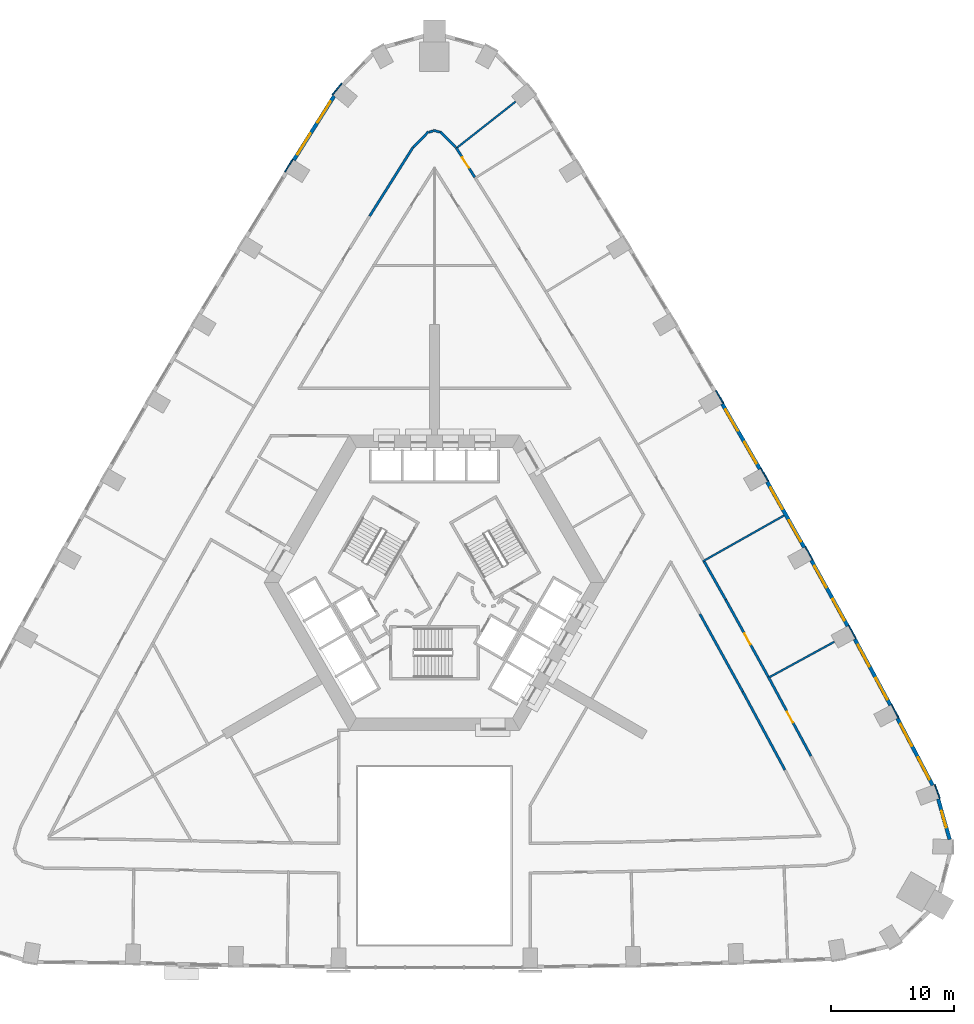
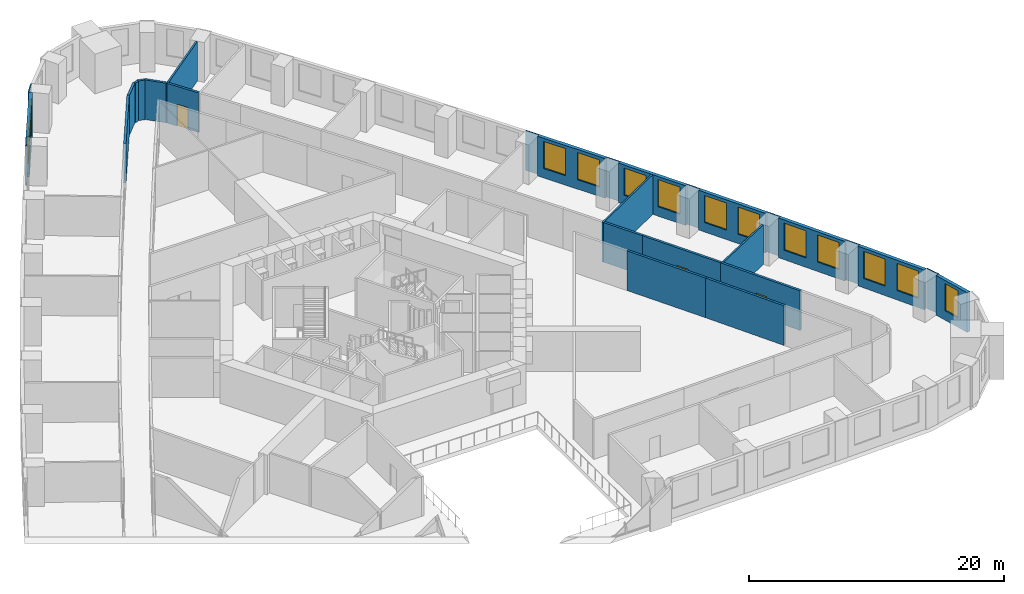
# One storey, part 11 of 13: 29 walls, 13 windows, 3 doors, 16 openings.
"""IFC4 building model written with IfcOpenShell, lengths in metres."""

from ifc_helpers import new_model, si_unit, direction, frame, frame_2d, origin, place, context, subcontext, project, spatial, rectangle, extrude, material, layer, layer_set, type_object, element, fill, save


model = new_model("IFC4")

# Units and contexts
model_context = context("Model", 3, precision=1e-05, world=origin(), true_north=direction((0.0, 1.0)))
body_context = subcontext(model_context, "Body", "Model", "MODEL_VIEW")
ifc_project = project(units=[si_unit("LENGTHUNIT", "METRE"), si_unit("AREAUNIT", "SQUARE_METRE"), si_unit("VOLUMEUNIT", "CUBIC_METRE"), si_unit("PLANEANGLEUNIT", "RADIAN"), si_unit("MASSUNIT", "GRAM", prefix="KILO")], contexts=[model_context])

# Site, building, storey
site_placement = place(None, origin())
site = spatial("IfcSite", under=ifc_project, at=site_placement, CompositionType="ELEMENT")
building_placement = place(site_placement, origin())
building = spatial("IfcBuilding", under=site, at=building_placement, Name="Entoto Arch Interchange Tower", CompositionType="ELEMENT")
storey_placement = place(building_placement, frame((0.0, 0.0, 51.800048828125)))
storey = spatial("IfcBuildingStorey", under=building, at=storey_placement, Name="L10", CompositionType="ELEMENT", Elevation=51.800048828125)

# Walls
ifc_material_1 = material(Name="Gypsum board partition on steel studs", Category="steel")
ifc_layer_1 = layer(ifc_material_1, 0.14990234375)
ifc_layer_set_1 = layer_set([ifc_layer_1], Name="Gypsum board partition on steel studs")
wall_type_1 = type_object("IfcWallType", Name="PARTITION 150", PredefinedType="PARTITIONING", material=ifc_layer_set_1)
wall_1_placement = place(storey_placement, frame((27.26806640625, -5.1708984375, 0.0), z_axis=(0.0, 0.0, 1.0), x_axis=(0.877837854343, 0.478957932895, 0.0)))
element("IfcWall", 1, at=wall_1_placement, inside=storey, type_object=wall_type_1, Name="wall:L10:p134", PredefinedType="PARTITIONING", context=body_context, shape_type="SweptSolid", body=[
    extrude(rectangle(XDim=5.981689453125, YDim=0.14990234375, at=frame_2d((2.99072265625, 0.0))), origin(), (0.0, 0.0, 1.0), 3.800048828125),
])
wall_2_placement = place(storey_placement, frame((21.81298828125, 4.23095703125, 0.0), z_axis=(0.0, 0.0, 1.0), x_axis=(0.870901264369, 0.491458022337, 0.0)))
element("IfcWall", 2, at=wall_2_placement, inside=storey, type_object=wall_type_1, Name="wall:L10:p135", PredefinedType="PARTITIONING", context=body_context, shape_type="SweptSolid", body=[
    extrude(rectangle(XDim=7.60009765625, YDim=0.14990234375, at=frame_2d((3.800048828125, 0.0))), origin(), (0.0, 0.0, 1.0), 3.800048828125),
])
wall_3_placement = place(storey_placement, frame((1.708984375, 37.77294921875, 0.0), z_axis=(0.0, 0.0, 1.0), x_axis=(0.785857956092, 0.618407044629, 0.0)))
element("IfcWall", 3, at=wall_3_placement, inside=storey, type_object=wall_type_1, Name="wall:L10:p139", PredefinedType="PARTITIONING", context=body_context, shape_type="SweptSolid", body=[
    extrude(rectangle(XDim=6.22265625, YDim=0.14990234375, at=frame_2d((3.111328125, 0.0))), origin(), (0.0, 0.0, 1.0), 3.800048828125),
])
ifc_layer_2 = layer(ifc_material_1, 0.199951171875)
ifc_layer_set_2 = layer_set([ifc_layer_2], Name="Gypsum board partition on steel studs")
wall_type_2 = type_object("IfcWallType", Name="PARTITION 200", PredefinedType="PARTITIONING", material=ifc_layer_set_2)
wall_4_placement = place(storey_placement, frame((28.5009765625, -12.72412109375, 0.0), z_axis=(0.0, 0.0, 1.0), x_axis=(-0.474575559827, 0.880214768119, 0.0)))
element("IfcWall", 4, at=wall_4_placement, inside=storey, type_object=wall_type_2, Name="wall:L10:p022", PredefinedType="PARTITIONING", context=body_context, shape_type="SweptSolid", body=[
    extrude(rectangle(XDim=7.22119140625, YDim=0.199951171875, at=frame_2d((3.610595703125, 0.0))), origin(), (0.0, 0.0, 1.0), 3.800048828125),
])
wall_5_placement = place(storey_placement, frame((25.073974609375, -6.367919921875, 0.0), z_axis=(0.0, 0.0, 1.0), x_axis=(-0.483126495407, 0.875550563609, 0.0)))
element("IfcWall", 5, at=wall_5_placement, inside=storey, type_object=wall_type_2, Name="wall:L10:p023", PredefinedType="PARTITIONING", context=body_context, shape_type="SweptSolid", body=[
    extrude(rectangle(XDim=7.2216796875, YDim=0.199951171875, at=frame_2d((3.61083984375, 0.0))), origin(), (0.0, 0.0, 1.0), 3.800048828125),
])

# Wall, opening, door
wall_6_placement = place(storey_placement, frame((27.14501953125, -5.152099609375, 0.0), z_axis=(0.0, 0.0, 1.0), x_axis=(0.474591029089, -0.880206427554, 0.0)))
wall_6 = element("IfcWall", 6, at=wall_6_placement, inside=storey, type_object=wall_type_2, Name="wall:L10:p040", PredefinedType="PARTITIONING", context=body_context, shape_type="SweptSolid", body=[
    extrude(rectangle(XDim=7.31982421875, YDim=0.199951171875, at=frame_2d((3.659912109375, 0.0))), origin(), (0.0, 0.0, 1.0), 3.800048828125),
])
opening_1_placement = place(wall_6_placement, frame((3.235107421875, 0.0, 0.0)))
opening_1 = element("IfcOpeningElement", 7, at=opening_1_placement, cuts=wall_6, Name="Opening L10-D03", PredefinedType="OPENING", context=body_context, shape_type="SweptSolid", body=[
    extrude(rectangle(XDim=1.0, YDim=2.10009765625, at=frame_2d((0.5, 1.050048828125))), frame((0.0, 0.10986328125, 0.0), z_axis=(0.0, -1.0, 0.0), x_axis=(1.0, 0.0, 0.0)), (0.0, 0.0, 1.0), 0.219970703125),
])
ifc_material_2 = material(Name="Timber door leaf in Steel S235 frame", Category="steel")
door_type = type_object("IfcDoorType", Name="DOOR DS-10 1000x2100", OperationType="SINGLE_SWING_LEFT", PredefinedType="DOOR", material=ifc_material_2)
door_1_placement = place(opening_1_placement, origin())
door_1 = element("IfcDoor", 8, at=door_1_placement, inside=storey, type_object=door_type, Name="door:L10:03", OperationType="SINGLE_SWING_RIGHT", OverallHeight=2.10009765625, OverallWidth=1.0, PredefinedType="DOOR", context=body_context, shape_type="SweptSolid", body=[
    extrude(rectangle(XDim=1.0, YDim=2.10009765625, at=frame_2d((0.5, 1.050048828125))), frame((0.0, 0.02490234375, 0.0), z_axis=(0.0, -1.0, 0.0), x_axis=(1.0, 0.0, 0.0)), (0.0, 0.0, 1.0), 0.050048828125),
])
fill(opening_1, door_1)

# Wall
wall_7_placement = place(storey_placement, frame((21.93701171875, 4.214111328125, 0.0), z_axis=(0.0, 0.0, 1.0), x_axis=(0.491485799319, -0.870885588965, 0.0)))
element("IfcWall", 9, at=wall_7_placement, inside=storey, type_object=wall_type_2, Name="wall:L10:p047", PredefinedType="PARTITIONING", context=body_context, shape_type="SweptSolid", body=[
    extrude(rectangle(XDim=3.548095703125, YDim=0.199951171875, at=frame_2d((1.77392578125, 0.0))), origin(), (0.0, 0.0, 1.0), 3.800048828125),
])

# Wall, opening, door
wall_8_placement = place(storey_placement, frame((23.680908203125, 1.1240234375, 0.0), z_axis=(0.0, 0.0, 1.0), x_axis=(0.483125061868, -0.875551354631, 0.0)))
wall_8 = element("IfcWall", 10, at=wall_8_placement, inside=storey, type_object=wall_type_2, Name="wall:L10:p048", PredefinedType="PARTITIONING", context=body_context, shape_type="SweptSolid", body=[
    extrude(rectangle(XDim=7.168212890625, YDim=0.199951171875, at=frame_2d((3.583984375, 0.0))), origin(), (0.0, 0.0, 1.0), 3.800048828125),
])
opening_2_placement = place(wall_8_placement, frame((3.158935546875, 0.0, 0.0)))
opening_2 = element("IfcOpeningElement", 11, at=opening_2_placement, cuts=wall_8, Name="Opening L10-D04", PredefinedType="OPENING", context=body_context, shape_type="SweptSolid", body=[
    extrude(rectangle(XDim=1.0, YDim=2.10009765625, at=frame_2d((0.5, 1.050048828125))), frame((0.0, 0.10986328125, 0.0), z_axis=(0.0, -1.0, 0.0), x_axis=(1.0, 0.0, 0.0)), (0.0, 0.0, 1.0), 0.219970703125),
])
door_2_placement = place(opening_2_placement, origin())
door_2 = element("IfcDoor", 12, at=door_2_placement, inside=storey, type_object=door_type, Name="door:L10:04", OperationType="SINGLE_SWING_LEFT", OverallHeight=2.10009765625, OverallWidth=1.0, PredefinedType="DOOR", context=body_context, shape_type="SweptSolid", body=[
    extrude(rectangle(XDim=1.0, YDim=2.10009765625, at=frame_2d((0.5, 1.050048828125))), frame((0.0, 0.02490234375, 0.0), z_axis=(0.0, -1.0, 0.0), x_axis=(1.0, 0.0, 0.0)), (0.0, 0.0, 1.0), 0.050048828125),
])
fill(opening_2, door_2)

wall_9_placement = place(storey_placement, frame((1.77490234375, 37.85595703125, 0.0), z_axis=(0.0, 0.0, 1.0), x_axis=(0.533221537001, -0.845975645322, 0.0)))
wall_9 = element("IfcWall", 13, at=wall_9_placement, inside=storey, type_object=wall_type_2, Name="wall:L10:p055", PredefinedType="PARTITIONING", context=body_context, shape_type="SweptSolid", body=[
    extrude(rectangle(XDim=2.82275390625, YDim=0.199951171875, at=frame_2d((1.411376953125, 0.0))), origin(), (0.0, 0.0, 1.0), 3.800048828125),
])
opening_3_placement = place(wall_9_placement, frame((0.910888671875, 0.0, 0.0)))
opening_3 = element("IfcOpeningElement", 14, at=opening_3_placement, cuts=wall_9, Name="Opening L10-D08", PredefinedType="OPENING", context=body_context, shape_type="SweptSolid", body=[
    extrude(rectangle(XDim=1.0, YDim=2.10009765625, at=frame_2d((0.5, 1.050048828125))), frame((0.0, 0.10986328125, 0.0), z_axis=(0.0, -1.0, 0.0), x_axis=(1.0, 0.0, 0.0)), (0.0, 0.0, 1.0), 0.219970703125),
])
door_3_placement = place(opening_3_placement, origin())
door_3 = element("IfcDoor", 15, at=door_3_placement, inside=storey, type_object=door_type, Name="door:L10:08", OperationType="SINGLE_SWING_LEFT", OverallHeight=2.10009765625, OverallWidth=1.0, PredefinedType="DOOR", context=body_context, shape_type="SweptSolid", body=[
    extrude(rectangle(XDim=1.0, YDim=2.10009765625, at=frame_2d((0.5, 1.050048828125))), frame((0.0, 0.02490234375, 0.0), z_axis=(0.0, -1.0, 0.0), x_axis=(1.0, 0.0, 0.0)), (0.0, 0.0, 1.0), 0.050048828125),
])
fill(opening_3, door_3)

# Walls
wall_10_placement = place(storey_placement, frame((-5.26708984375, 32.31494140625, 0.0), z_axis=(0.0, 0.0, 1.0), x_axis=(0.533195424135, 0.845992103794, 0.0)))
element("IfcWall", 16, at=wall_10_placement, inside=storey, type_object=wall_type_2, Name="wall:L10:p057", PredefinedType="PARTITIONING", context=body_context, shape_type="SweptSolid", body=[
    extrude(rectangle(XDim=6.624267578125, YDim=0.199951171875, at=frame_2d((3.31201171875, 0.0))), origin(), (0.0, 0.0, 1.0), 3.800048828125),
])
wall_11_placement = place(storey_placement, frame((-1.718017578125, 37.906005859375, 0.0), z_axis=(0.0, 0.0, 1.0), x_axis=(0.696949052806, 0.71712064382, 0.0)))
element("IfcWall", 17, at=wall_11_placement, inside=storey, type_object=wall_type_2, Name="wall:L10:p058", PredefinedType="PARTITIONING", context=body_context, shape_type="SweptSolid", body=[
    extrude(rectangle(XDim=1.779052734375, YDim=0.199951171875, at=frame_2d((0.8896484375, 0.0))), origin(), (0.0, 0.0, 1.0), 3.800048828125),
])
wall_12_placement = place(storey_placement, frame((-0.451904296875, 39.136962890625, 0.0), z_axis=(0.0, 0.0, 1.0), x_axis=(0.963347325023, 0.26825721122, 0.0)))
element("IfcWall", 18, at=wall_12_placement, inside=storey, type_object=wall_type_2, Name="wall:L10:p059", PredefinedType="PARTITIONING", context=body_context, shape_type="SweptSolid", body=[
    extrude(rectangle(XDim=0.369384765625, YDim=0.199951171875, at=frame_2d((0.1845703125, 0.0))), origin(), (0.0, 0.0, 1.0), 3.800048828125),
])
wall_13_placement = place(storey_placement, frame((-0.095947265625, 39.2900390625, 0.0), z_axis=(0.0, 0.0, 1.0), x_axis=(0.963110974003, -0.269104536854, 0.0)))
element("IfcWall", 19, at=wall_13_placement, inside=storey, type_object=wall_type_2, Name="wall:L10:p060", PredefinedType="PARTITIONING", context=body_context, shape_type="SweptSolid", body=[
    extrude(rectangle(XDim=0.56884765625, YDim=0.199951171875, at=frame_2d((0.284423828125, 0.0))), origin(), (0.0, 0.0, 1.0), 3.800048828125),
])
wall_14_placement = place(storey_placement, frame((0.47802734375, 39.181884765625, 0.0), z_axis=(0.0, 0.0, 1.0), x_axis=(0.696949052806, -0.71712064382, 0.0)))
element("IfcWall", 20, at=wall_14_placement, inside=storey, type_object=wall_type_2, Name="wall:L10:p061", PredefinedType="PARTITIONING", context=body_context, shape_type="SweptSolid", body=[
    extrude(rectangle(XDim=1.779052734375, YDim=0.199951171875, at=frame_2d((0.8896484375, 0.0))), origin(), (0.0, 0.0, 1.0), 3.800048828125),
])

# Wall, opening, window
ifc_material_3 = material(Name="Welded tuff (ignimbrite) cladding, warm buff", Category="masonry")
ifc_layer_3 = layer(ifc_material_3, 0.300048828125)
ifc_layer_set_3 = layer_set([ifc_layer_3], Name="Welded tuff (ignimbrite) cladding, warm buff")
wall_type_3 = type_object("IfcWallType", Name="STONE INFILL WALL 300", PredefinedType="STANDARD", material=ifc_layer_set_3)
wall_15_placement = place(storey_placement, frame((41.89794921875, -18.37890625, 0.0), z_axis=(0.0, 0.0, 1.0), x_axis=(-0.272901963142, 0.962041848629, 0.0)))
wall_15 = element("IfcWall", 21, at=wall_15_placement, inside=storey, type_object=wall_type_3, Name="Facade wall SE-04 L10", PredefinedType="STANDARD", context=body_context, shape_type="SweptSolid", body=[
    extrude(rectangle(XDim=3.421875, YDim=0.300048828125, at=frame_2d((1.7109375, 0.0))), origin(), (0.0, 0.0, 1.0), 3.800048828125),
])
opening_4_placement = place(wall_15_placement, frame((1.010986328125, 0.0, 0.89990234375)))
opening_4 = element("IfcOpeningElement", 22, at=opening_4_placement, cuts=wall_15, Name="Opening WO-B", PredefinedType="OPENING", context=body_context, shape_type="SweptSolid", body=[
    extrude(rectangle(XDim=1.39990234375, YDim=2.60009765625, at=frame_2d((0.699951171875, 1.300048828125))), frame((0.0, 0.16015625, 0.0), z_axis=(0.0, -1.0, 0.0), x_axis=(1.0, 0.0, 0.0)), (0.0, 0.0, 1.0), 0.320068359375),
])
ifc_material_4 = material(Name="Clear glass, low-e double glazed", Category="glass")
window_type_1 = type_object("IfcWindowType", Name="WINDOW WO-B 1400x2600", PartitioningType="DOUBLE_PANEL_VERTICAL", PredefinedType="WINDOW", material=ifc_material_4)
window_1_placement = place(opening_4_placement, origin())
window_1 = element("IfcWindow", 23, at=window_1_placement, inside=storey, type_object=window_type_1, Name="Window WO-B SE-04 L10", OverallHeight=2.60009765625, OverallWidth=1.39990234375, PartitioningType="SINGLE_PANEL", PredefinedType="WINDOW", context=body_context, shape_type="SweptSolid", body=[
    extrude(rectangle(XDim=1.39990234375, YDim=2.60009765625, at=frame_2d((0.699951171875, 1.300048828125))), frame((0.0, 0.030029296875, 0.0), z_axis=(0.0, -1.0, 0.0), x_axis=(1.0, 0.0, 0.0)), (0.0, 0.0, 1.0), 0.06005859375),
])
fill(opening_4, window_1)

# Wall, openings, windows
wall_16_placement = place(storey_placement, frame((40.51806640625, -13.97509765625, 0.0), z_axis=(0.0, 0.0, 1.0), x_axis=(-0.465847756605, 0.884864886673, 0.0)))
wall_16 = element("IfcWall", 24, at=wall_16_placement, inside=storey, type_object=wall_type_3, Name="Facade wall NE-01 L10", PredefinedType="STANDARD", context=body_context, shape_type="SweptSolid", body=[
    extrude(rectangle(XDim=6.156982421875, YDim=0.300048828125, at=frame_2d((3.07861328125, 0.0))), origin(), (0.0, 0.0, 1.0), 3.800048828125),
])
opening_5_placement = place(wall_16_placement, frame((0.5390625, 0.0, 0.89990234375)))
opening_5 = element("IfcOpeningElement", 25, at=opening_5_placement, cuts=wall_16, Name="Opening WO-C", PredefinedType="OPENING", context=body_context, shape_type="SweptSolid", body=[
    extrude(rectangle(XDim=2.0, YDim=2.60009765625, at=frame_2d((1.0, 1.300048828125))), frame((0.0, 0.16015625, 0.0), z_axis=(0.0, -1.0, 0.0), x_axis=(1.0, 0.0, 0.0)), (0.0, 0.0, 1.0), 0.320068359375),
])
opening_6_placement = place(wall_16_placement, frame((3.617919921875, 0.0, 0.89990234375)))
opening_6 = element("IfcOpeningElement", 26, at=opening_6_placement, cuts=wall_16, Name="Opening WO-C", PredefinedType="OPENING", context=body_context, shape_type="SweptSolid", body=[
    extrude(rectangle(XDim=2.0, YDim=2.60009765625, at=frame_2d((1.0, 1.300048828125))), frame((0.0, 0.16015625, 0.0), z_axis=(0.0, -1.0, 0.0), x_axis=(1.0, 0.0, 0.0)), (0.0, 0.0, 1.0), 0.320068359375),
])
window_type_2 = type_object("IfcWindowType", Name="WINDOW WO-C 2000x2600", PartitioningType="DOUBLE_PANEL_VERTICAL", PredefinedType="WINDOW", material=ifc_material_4)
window_2_placement = place(opening_5_placement, origin())
window_2 = element("IfcWindow", 27, at=window_2_placement, inside=storey, type_object=window_type_2, Name="Window WO-C NE-01 L10", OverallHeight=2.60009765625, OverallWidth=2.0, PartitioningType="SINGLE_PANEL", PredefinedType="WINDOW", context=body_context, shape_type="SweptSolid", body=[
    extrude(rectangle(XDim=2.0, YDim=2.60009765625, at=frame_2d((1.0, 1.300048828125))), frame((0.0, 0.030029296875, 0.0), z_axis=(0.0, -1.0, 0.0), x_axis=(1.0, 0.0, 0.0)), (0.0, 0.0, 1.0), 0.06005859375),
])
fill(opening_5, window_2)
window_3_placement = place(opening_6_placement, origin())
window_3 = element("IfcWindow", 28, at=window_3_placement, inside=storey, type_object=window_type_2, Name="Window WO-C NE-01 L10", OverallHeight=2.60009765625, OverallWidth=2.0, PartitioningType="SINGLE_PANEL", PredefinedType="WINDOW", context=body_context, shape_type="SweptSolid", body=[
    extrude(rectangle(XDim=2.0, YDim=2.60009765625, at=frame_2d((1.0, 1.300048828125))), frame((0.0, 0.030029296875, 0.0), z_axis=(0.0, -1.0, 0.0), x_axis=(1.0, 0.0, 0.0)), (0.0, 0.0, 1.0), 0.06005859375),
])
fill(opening_6, window_3)

wall_17_placement = place(storey_placement, frame((37.0859375, -7.469970703125, 0.0), z_axis=(0.0, 0.0, 1.0), x_axis=(-0.474584950749, 0.880209704856, 0.0)))
wall_17 = element("IfcWall", 29, at=wall_17_placement, inside=storey, type_object=wall_type_3, Name="Facade wall NE-02 L10", PredefinedType="STANDARD", context=body_context, shape_type="SweptSolid", body=[
    extrude(rectangle(XDim=6.12109375, YDim=0.300048828125, at=frame_2d((3.060546875, 0.0))), origin(), (0.0, 0.0, 1.0), 3.800048828125),
])
opening_7_placement = place(wall_17_placement, frame((0.530029296875, 0.0, 0.89990234375)))
opening_7 = element("IfcOpeningElement", 30, at=opening_7_placement, cuts=wall_17, Name="Opening WO-C", PredefinedType="OPENING", context=body_context, shape_type="SweptSolid", body=[
    extrude(rectangle(XDim=2.0, YDim=2.60009765625, at=frame_2d((1.0, 1.300048828125))), frame((0.0, 0.16015625, 0.0), z_axis=(0.0, -1.0, 0.0), x_axis=(1.0, 0.0, 0.0)), (0.0, 0.0, 1.0), 0.320068359375),
])
opening_8_placement = place(wall_17_placement, frame((3.591064453125, 0.0, 0.89990234375)))
opening_8 = element("IfcOpeningElement", 31, at=opening_8_placement, cuts=wall_17, Name="Opening WO-C", PredefinedType="OPENING", context=body_context, shape_type="SweptSolid", body=[
    extrude(rectangle(XDim=2.0, YDim=2.60009765625, at=frame_2d((1.0, 1.300048828125))), frame((0.0, 0.16015625, 0.0), z_axis=(0.0, -1.0, 0.0), x_axis=(1.0, 0.0, 0.0)), (0.0, 0.0, 1.0), 0.320068359375),
])
window_4_placement = place(opening_7_placement, origin())
window_4 = element("IfcWindow", 32, at=window_4_placement, inside=storey, type_object=window_type_2, Name="Window WO-C NE-02 L10", OverallHeight=2.60009765625, OverallWidth=2.0, PartitioningType="SINGLE_PANEL", PredefinedType="WINDOW", context=body_context, shape_type="SweptSolid", body=[
    extrude(rectangle(XDim=2.0, YDim=2.60009765625, at=frame_2d((1.0, 1.300048828125))), frame((0.0, 0.030029296875, 0.0), z_axis=(0.0, -1.0, 0.0), x_axis=(1.0, 0.0, 0.0)), (0.0, 0.0, 1.0), 0.06005859375),
])
fill(opening_7, window_4)
window_5_placement = place(opening_8_placement, origin())
window_5 = element("IfcWindow", 33, at=window_5_placement, inside=storey, type_object=window_type_2, Name="Window WO-C NE-02 L10", OverallHeight=2.60009765625, OverallWidth=2.0, PartitioningType="SINGLE_PANEL", PredefinedType="WINDOW", context=body_context, shape_type="SweptSolid", body=[
    extrude(rectangle(XDim=2.0, YDim=2.60009765625, at=frame_2d((1.0, 1.300048828125))), frame((0.0, 0.030029296875, 0.0), z_axis=(0.0, -1.0, 0.0), x_axis=(1.0, 0.0, 0.0)), (0.0, 0.0, 1.0), 0.06005859375),
])
fill(opening_8, window_5)

wall_18_placement = place(storey_placement, frame((33.60693359375, -1.030029296875, 0.0), z_axis=(0.0, 0.0, 1.0), x_axis=(-0.483195456594, 0.875512507465, 0.0)))
wall_18 = element("IfcWall", 34, at=wall_18_placement, inside=storey, type_object=wall_type_3, Name="Facade wall NE-03 L10", PredefinedType="STANDARD", context=body_context, shape_type="SweptSolid", body=[
    extrude(rectangle(XDim=6.11962890625, YDim=0.300048828125, at=frame_2d((3.059814453125, 0.0))), origin(), (0.0, 0.0, 1.0), 3.800048828125),
])
opening_9_placement = place(wall_18_placement, frame((0.530029296875, 0.0, 0.89990234375)))
opening_9 = element("IfcOpeningElement", 35, at=opening_9_placement, cuts=wall_18, Name="Opening WO-C", PredefinedType="OPENING", context=body_context, shape_type="SweptSolid", body=[
    extrude(rectangle(XDim=2.0, YDim=2.60009765625, at=frame_2d((1.0, 1.300048828125))), frame((0.0, 0.16015625, 0.0), z_axis=(0.0, -1.0, 0.0), x_axis=(1.0, 0.0, 0.0)), (0.0, 0.0, 1.0), 0.320068359375),
])
opening_10_placement = place(wall_18_placement, frame((3.590087890625, 0.0, 0.89990234375)))
opening_10 = element("IfcOpeningElement", 36, at=opening_10_placement, cuts=wall_18, Name="Opening WO-C", PredefinedType="OPENING", context=body_context, shape_type="SweptSolid", body=[
    extrude(rectangle(XDim=2.0, YDim=2.60009765625, at=frame_2d((1.0, 1.300048828125))), frame((0.0, 0.16015625, 0.0), z_axis=(0.0, -1.0, 0.0), x_axis=(1.0, 0.0, 0.0)), (0.0, 0.0, 1.0), 0.320068359375),
])
window_6_placement = place(opening_9_placement, origin())
window_6 = element("IfcWindow", 37, at=window_6_placement, inside=storey, type_object=window_type_2, Name="Window WO-C NE-03 L10", OverallHeight=2.60009765625, OverallWidth=2.0, PartitioningType="SINGLE_PANEL", PredefinedType="WINDOW", context=body_context, shape_type="SweptSolid", body=[
    extrude(rectangle(XDim=2.0, YDim=2.60009765625, at=frame_2d((1.0, 1.300048828125))), frame((0.0, 0.030029296875, 0.0), z_axis=(0.0, -1.0, 0.0), x_axis=(1.0, 0.0, 0.0)), (0.0, 0.0, 1.0), 0.06005859375),
])
fill(opening_9, window_6)
window_7_placement = place(opening_10_placement, origin())
window_7 = element("IfcWindow", 38, at=window_7_placement, inside=storey, type_object=window_type_2, Name="Window WO-C NE-03 L10", OverallHeight=2.60009765625, OverallWidth=2.0, PartitioningType="SINGLE_PANEL", PredefinedType="WINDOW", context=body_context, shape_type="SweptSolid", body=[
    extrude(rectangle(XDim=2.0, YDim=2.60009765625, at=frame_2d((1.0, 1.300048828125))), frame((0.0, 0.030029296875, 0.0), z_axis=(0.0, -1.0, 0.0), x_axis=(1.0, 0.0, 0.0)), (0.0, 0.0, 1.0), 0.06005859375),
])
fill(opening_10, window_7)

wall_19_placement = place(storey_placement, frame((30.06689453125, 5.3740234375, 0.0), z_axis=(0.0, 0.0, 1.0), x_axis=(-0.49151046248, 0.870871669807, 0.0)))
wall_19 = element("IfcWall", 39, at=wall_19_placement, inside=storey, type_object=wall_type_3, Name="Facade wall NE-04 L10", PredefinedType="STANDARD", context=body_context, shape_type="SweptSolid", body=[
    extrude(rectangle(XDim=6.12158203125, YDim=0.300048828125, at=frame_2d((3.060791015625, 0.0))), origin(), (0.0, 0.0, 1.0), 3.800048828125),
])
opening_11_placement = place(wall_19_placement, frame((0.530029296875, 0.0, 0.89990234375)))
opening_11 = element("IfcOpeningElement", 40, at=opening_11_placement, cuts=wall_19, Name="Opening WO-C", PredefinedType="OPENING", context=body_context, shape_type="SweptSolid", body=[
    extrude(rectangle(XDim=2.0, YDim=2.60009765625, at=frame_2d((1.0, 1.300048828125))), frame((0.0, 0.16015625, 0.0), z_axis=(0.0, -1.0, 0.0), x_axis=(1.0, 0.0, 0.0)), (0.0, 0.0, 1.0), 0.320068359375),
])
opening_12_placement = place(wall_19_placement, frame((3.591064453125, 0.0, 0.89990234375)))
opening_12 = element("IfcOpeningElement", 41, at=opening_12_placement, cuts=wall_19, Name="Opening WO-C", PredefinedType="OPENING", context=body_context, shape_type="SweptSolid", body=[
    extrude(rectangle(XDim=2.0, YDim=2.60009765625, at=frame_2d((1.0, 1.300048828125))), frame((0.0, 0.16015625, 0.0), z_axis=(0.0, -1.0, 0.0), x_axis=(1.0, 0.0, 0.0)), (0.0, 0.0, 1.0), 0.320068359375),
])
window_8_placement = place(opening_11_placement, origin())
window_8 = element("IfcWindow", 42, at=window_8_placement, inside=storey, type_object=window_type_2, Name="Window WO-C NE-04 L10", OverallHeight=2.60009765625, OverallWidth=2.0, PartitioningType="SINGLE_PANEL", PredefinedType="WINDOW", context=body_context, shape_type="SweptSolid", body=[
    extrude(rectangle(XDim=2.0, YDim=2.60009765625, at=frame_2d((1.0, 1.300048828125))), frame((0.0, 0.030029296875, 0.0), z_axis=(0.0, -1.0, 0.0), x_axis=(1.0, 0.0, 0.0)), (0.0, 0.0, 1.0), 0.06005859375),
])
fill(opening_11, window_8)
window_9_placement = place(opening_12_placement, origin())
window_9 = element("IfcWindow", 43, at=window_9_placement, inside=storey, type_object=window_type_2, Name="Window WO-C NE-04 L10", OverallHeight=2.60009765625, OverallWidth=2.0, PartitioningType="SINGLE_PANEL", PredefinedType="WINDOW", context=body_context, shape_type="SweptSolid", body=[
    extrude(rectangle(XDim=2.0, YDim=2.60009765625, at=frame_2d((1.0, 1.300048828125))), frame((0.0, 0.030029296875, 0.0), z_axis=(0.0, -1.0, 0.0), x_axis=(1.0, 0.0, 0.0)), (0.0, 0.0, 1.0), 0.06005859375),
])
fill(opening_12, window_9)

wall_20_placement = place(storey_placement, frame((26.464111328125, 11.7451171875, 0.0), z_axis=(0.0, 0.0, 1.0), x_axis=(-0.499957248001, 0.866050085256, 0.0)))
wall_20 = element("IfcWall", 44, at=wall_20_placement, inside=storey, type_object=wall_type_3, Name="Facade wall NE-05 L10", PredefinedType="STANDARD", context=body_context, shape_type="SweptSolid", body=[
    extrude(rectangle(XDim=6.12060546875, YDim=0.300048828125, at=frame_2d((3.060302734375, 0.0))), origin(), (0.0, 0.0, 1.0), 3.800048828125),
])
opening_13_placement = place(wall_20_placement, frame((0.530029296875, 0.0, 0.89990234375)))
opening_13 = element("IfcOpeningElement", 45, at=opening_13_placement, cuts=wall_20, Name="Opening WO-C", PredefinedType="OPENING", context=body_context, shape_type="SweptSolid", body=[
    extrude(rectangle(XDim=2.0, YDim=2.60009765625, at=frame_2d((1.0, 1.300048828125))), frame((0.0, 0.16015625, 0.0), z_axis=(0.0, -1.0, 0.0), x_axis=(1.0, 0.0, 0.0)), (0.0, 0.0, 1.0), 0.320068359375),
])
opening_14_placement = place(wall_20_placement, frame((3.591064453125, 0.0, 0.89990234375)))
opening_14 = element("IfcOpeningElement", 46, at=opening_14_placement, cuts=wall_20, Name="Opening WO-C", PredefinedType="OPENING", context=body_context, shape_type="SweptSolid", body=[
    extrude(rectangle(XDim=2.0, YDim=2.60009765625, at=frame_2d((1.0, 1.300048828125))), frame((0.0, 0.16015625, 0.0), z_axis=(0.0, -1.0, 0.0), x_axis=(1.0, 0.0, 0.0)), (0.0, 0.0, 1.0), 0.320068359375),
])
window_10_placement = place(opening_13_placement, origin())
window_10 = element("IfcWindow", 47, at=window_10_placement, inside=storey, type_object=window_type_2, Name="Window WO-C NE-05 L10", OverallHeight=2.60009765625, OverallWidth=2.0, PartitioningType="SINGLE_PANEL", PredefinedType="WINDOW", context=body_context, shape_type="SweptSolid", body=[
    extrude(rectangle(XDim=2.0, YDim=2.60009765625, at=frame_2d((1.0, 1.300048828125))), frame((0.0, 0.030029296875, 0.0), z_axis=(0.0, -1.0, 0.0), x_axis=(1.0, 0.0, 0.0)), (0.0, 0.0, 1.0), 0.06005859375),
])
fill(opening_13, window_10)
window_11_placement = place(opening_14_placement, origin())
window_11 = element("IfcWindow", 48, at=window_11_placement, inside=storey, type_object=window_type_2, Name="Window WO-C NE-05 L10", OverallHeight=2.60009765625, OverallWidth=2.0, PartitioningType="SINGLE_PANEL", PredefinedType="WINDOW", context=body_context, shape_type="SweptSolid", body=[
    extrude(rectangle(XDim=2.0, YDim=2.60009765625, at=frame_2d((1.0, 1.300048828125))), frame((0.0, 0.030029296875, 0.0), z_axis=(0.0, -1.0, 0.0), x_axis=(1.0, 0.0, 0.0)), (0.0, 0.0, 1.0), 0.06005859375),
])
fill(opening_14, window_11)

wall_21_placement = place(storey_placement, frame((-8.156982421875, 42.077880859375, 0.0), z_axis=(0.0, 0.0, 1.0), x_axis=(-0.533075127321, -0.846067910177, 0.0)))
wall_21 = element("IfcWall", 49, at=wall_21_placement, inside=storey, type_object=wall_type_3, Name="Facade wall NW-01 L10", PredefinedType="STANDARD", context=body_context, shape_type="SweptSolid", body=[
    extrude(rectangle(XDim=6.15673828125, YDim=0.300048828125, at=frame_2d((3.078369140625, 0.0))), origin(), (0.0, 0.0, 1.0), 3.800048828125),
])
opening_15_placement = place(wall_21_placement, frame((0.5390625, 0.0, 0.89990234375)))
opening_15 = element("IfcOpeningElement", 50, at=opening_15_placement, cuts=wall_21, Name="Opening WO-C", PredefinedType="OPENING", context=body_context, shape_type="SweptSolid", body=[
    extrude(rectangle(XDim=2.0, YDim=2.60009765625, at=frame_2d((1.0, 1.300048828125))), frame((0.0, 0.16015625, 0.0), z_axis=(0.0, -1.0, 0.0), x_axis=(1.0, 0.0, 0.0)), (0.0, 0.0, 1.0), 0.320068359375),
])
opening_16_placement = place(wall_21_placement, frame((3.617919921875, 0.0, 0.89990234375)))
opening_16 = element("IfcOpeningElement", 51, at=opening_16_placement, cuts=wall_21, Name="Opening WO-C", PredefinedType="OPENING", context=body_context, shape_type="SweptSolid", body=[
    extrude(rectangle(XDim=2.0, YDim=2.60009765625, at=frame_2d((1.0, 1.300048828125))), frame((0.0, 0.16015625, 0.0), z_axis=(0.0, -1.0, 0.0), x_axis=(1.0, 0.0, 0.0)), (0.0, 0.0, 1.0), 0.320068359375),
])
window_12_placement = place(opening_15_placement, origin())
window_12 = element("IfcWindow", 52, at=window_12_placement, inside=storey, type_object=window_type_2, Name="Window WO-C NW-01 L10", OverallHeight=2.60009765625, OverallWidth=2.0, PartitioningType="SINGLE_PANEL", PredefinedType="WINDOW", context=body_context, shape_type="SweptSolid", body=[
    extrude(rectangle(XDim=2.0, YDim=2.60009765625, at=frame_2d((1.0, 1.300048828125))), frame((0.0, 0.030029296875, 0.0), z_axis=(0.0, -1.0, 0.0), x_axis=(1.0, 0.0, 0.0)), (0.0, 0.0, 1.0), 0.06005859375),
])
fill(opening_15, window_12)
window_13_placement = place(opening_16_placement, origin())
window_13 = element("IfcWindow", 53, at=window_13_placement, inside=storey, type_object=window_type_2, Name="Window WO-C NW-01 L10", OverallHeight=2.60009765625, OverallWidth=2.0, PartitioningType="SINGLE_PANEL", PredefinedType="WINDOW", context=body_context, shape_type="SweptSolid", body=[
    extrude(rectangle(XDim=2.0, YDim=2.60009765625, at=frame_2d((1.0, 1.300048828125))), frame((0.0, 0.030029296875, 0.0), z_axis=(0.0, -1.0, 0.0), x_axis=(1.0, 0.0, 0.0)), (0.0, 0.0, 1.0), 0.06005859375),
])
fill(opening_16, window_13)

# Walls
ifc_layer_4 = layer(ifc_material_3, 0.10009765625)
ifc_layer_set_4 = layer_set([ifc_layer_4], Name="Welded tuff (ignimbrite) cladding, warm buff")
wall_type_4 = type_object("IfcWallType", Name="STONE PIER CLADDING 100", PredefinedType="STANDARD", material=ifc_layer_set_4)
wall_22_placement = place(storey_placement, frame((41.10302734375, -15.037109375, 0.0), z_axis=(0.0, 0.0, 1.0), x_axis=(-0.348268249601, 0.937394914814, 0.0)))
element("IfcWall", 54, at=wall_22_placement, inside=storey, type_object=wall_type_4, Name="Stone pier NE01 L10", PredefinedType="STANDARD", context=body_context, shape_type="SweptSolid", body=[
    extrude(rectangle(XDim=1.2001953125, YDim=0.10009765625, at=frame_2d((0.60009765625, 0.0))), origin(), (0.0, 0.0, 1.0), 3.800048828125),
])
wall_23_placement = place(storey_placement, frame((37.739990234375, -8.47998046875, 0.0), z_axis=(0.0, 0.0, 1.0), x_axis=(-0.469383408131, 0.882994459876, 0.0)))
element("IfcWall", 55, at=wall_23_placement, inside=storey, type_object=wall_type_4, Name="Stone pier NE02 L10", PredefinedType="STANDARD", context=body_context, shape_type="SweptSolid", body=[
    extrude(rectangle(XDim=1.199462890625, YDim=0.10009765625, at=frame_2d((0.599609375, 0.0))), origin(), (0.0, 0.0, 1.0), 3.800048828125),
])
wall_24_placement = place(storey_placement, frame((34.27099609375, -2.033935546875, 0.0), z_axis=(0.0, 0.0, 1.0), x_axis=(-0.478267644701, 0.878214131082, 0.0)))
element("IfcWall", 56, at=wall_24_placement, inside=storey, type_object=wall_type_4, Name="Stone pier NE03 L10", PredefinedType="STANDARD", context=body_context, shape_type="SweptSolid", body=[
    extrude(rectangle(XDim=1.2001953125, YDim=0.10009765625, at=frame_2d((0.60009765625, 0.0))), origin(), (0.0, 0.0, 1.0), 3.800048828125),
])
wall_25_placement = place(storey_placement, frame((30.739990234375, 4.376953125, 0.0), z_axis=(0.0, 0.0, 1.0), x_axis=(-0.486730996044, 0.87355190887, 0.0)))
element("IfcWall", 57, at=wall_25_placement, inside=storey, type_object=wall_type_4, Name="Stone pier NE04 L10", PredefinedType="STANDARD", context=body_context, shape_type="SweptSolid", body=[
    extrude(rectangle(XDim=1.19970703125, YDim=0.10009765625, at=frame_2d((0.599853515625, 0.0))), origin(), (0.0, 0.0, 1.0), 3.800048828125),
])
wall_26_placement = place(storey_placement, frame((27.14794921875, 10.7548828125, 0.0), z_axis=(0.0, 0.0, 1.0), x_axis=(-0.495766453659, 0.86845588456, 0.0)))
element("IfcWall", 58, at=wall_26_placement, inside=storey, type_object=wall_type_4, Name="Stone pier NE05 L10", PredefinedType="STANDARD", context=body_context, shape_type="SweptSolid", body=[
    extrude(rectangle(XDim=1.2001953125, YDim=0.10009765625, at=frame_2d((0.60009765625, 0.0))), origin(), (0.0, 0.0, 1.0), 3.800048828125),
])
wall_27_placement = place(storey_placement, frame((23.492919921875, 17.096923828125, 0.0), z_axis=(0.0, 0.0, 1.0), x_axis=(-0.504225229382, 0.863572184623, 0.0)))
element("IfcWall", 59, at=wall_27_placement, inside=storey, type_object=wall_type_4, Name="Stone pier NE06 L10", PredefinedType="STANDARD", context=body_context, shape_type="SweptSolid", body=[
    extrude(rectangle(XDim=1.19970703125, YDim=0.10009765625, at=frame_2d((0.599853515625, 0.0))), origin(), (0.0, 0.0, 1.0), 3.800048828125),
])
wall_28_placement = place(storey_placement, frame((-7.530029296875, 43.114990234375, 0.0), z_axis=(0.0, 0.0, 1.0), x_axis=(-0.637638520791, -0.770335716947, 0.0)))
element("IfcWall", 60, at=wall_28_placement, inside=storey, type_object=wall_type_4, Name="Stone pier NW01 L10", PredefinedType="STANDARD", context=body_context, shape_type="SweptSolid", body=[
    extrude(rectangle(XDim=1.199462890625, YDim=0.10009765625, at=frame_2d((0.599609375, 0.0))), origin(), (0.0, 0.0, 1.0), 3.800048828125),
])
wall_29_placement = place(storey_placement, frame((-11.52587890625, 36.924072265625, 0.0), z_axis=(0.0, 0.0, 1.0), x_axis=(-0.530328162925, -0.847792450785, 0.0)))
element("IfcWall", 61, at=wall_29_placement, inside=storey, type_object=wall_type_4, Name="Stone pier NW02 L10", PredefinedType="STANDARD", context=body_context, shape_type="SweptSolid", body=[
    extrude(rectangle(XDim=1.19970703125, YDim=0.10009765625, at=frame_2d((0.599853515625, 0.0))), origin(), (0.0, 0.0, 1.0), 3.800048828125),
])

save(model, "model.ifc")
